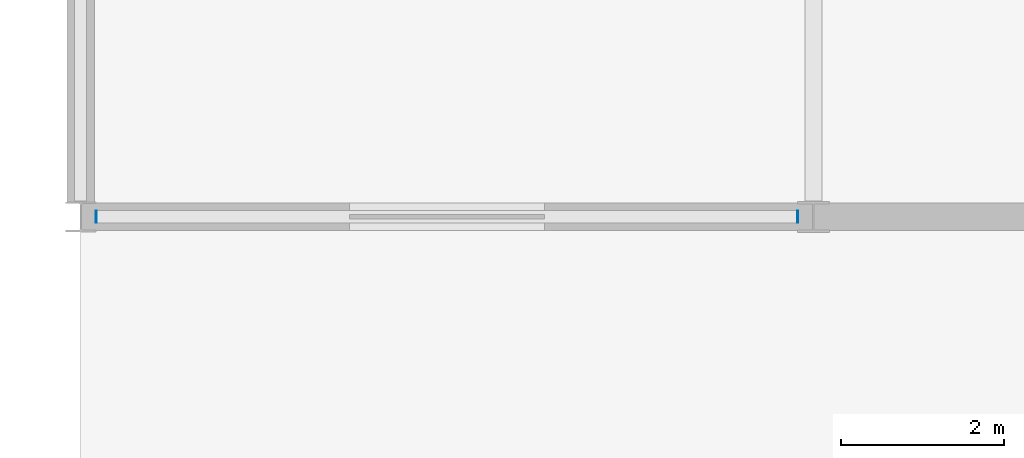
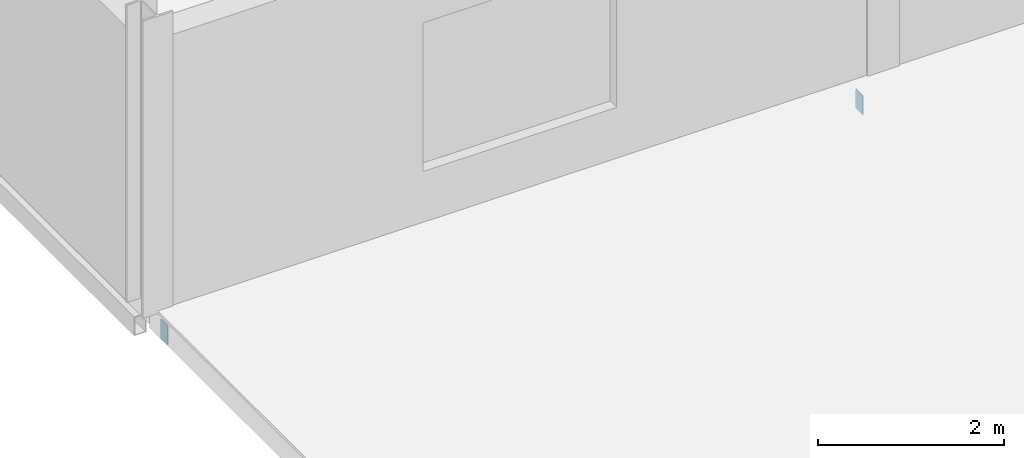
# One storey, part 73 of 105: 2 discrete accessories.
"""IFC4 building model written with IfcOpenShell, lengths in metres."""

from ifc_helpers import new_model, si_unit, direction, frame, origin, place, context, subcontext, project, spatial, polyline, outline, extrude, material, layer, layer_set, type_object, element, save


model = new_model("IFC4")

# Units and contexts
model_context = context("Model", 3, precision=1e-05, world=origin(), true_north=direction((0.0, 1.0)))
body_context = subcontext(model_context, "Body", "Model", "MODEL_VIEW")
ifc_project = project(units=[si_unit("LENGTHUNIT", "METRE"), si_unit("AREAUNIT", "SQUARE_METRE"), si_unit("VOLUMEUNIT", "CUBIC_METRE"), si_unit("PLANEANGLEUNIT", "RADIAN"), si_unit("MASSUNIT", "GRAM", prefix="KILO")], contexts=[model_context])

# Site, building, storey
site_placement = place(None, origin())
site = spatial("IfcSite", under=ifc_project, at=site_placement, CompositionType="ELEMENT")
building_placement = place(site_placement, origin())
building = spatial("IfcBuilding", under=site, at=building_placement, Name="Kisiwana Market Hall", CompositionType="ELEMENT")
storey_placement = place(building_placement, frame((0.0, 0.0, 21.60009765625)))
storey = spatial("IfcBuildingStorey", under=building, at=storey_placement, Name="L04", CompositionType="ELEMENT", Elevation=21.60009765625)

# Discrete accessories
ifc_material = material(Name="Steel S355", Category="steel")
ifc_layer = layer(ifc_material, 0.011962890625)
ifc_layer_set = layer_set([ifc_layer], Name="ACC-ENDCAP-STL")
discrete_accessory_type = type_object("IfcDiscreteAccessoryType", Name="ACC-ENDCAP-STL", PredefinedType="USERDEFINED", material=ifc_layer_set)
discrete_accessory_1_placement = place(storey_placement, frame((0.0, 0.0, -0.5419921875)))
element("IfcDiscreteAccessory", 1, at=discrete_accessory_1_placement, inside=storey, type_object=discrete_accessory_type, Name="End cap plate EC-0047", ObjectType="End cap plate", PredefinedType="USERDEFINED", context=body_context, shape_type="SweptSolid", body=[
    extrude(outline(polyline([(8.804443359375, 8.925048828125), (8.81640625, 8.925048828125), (8.81640625, 9.074951171875), (8.804443359375, 9.074951171875), (8.804443359375, 8.925048828125)])), origin(), (0.0, 0.0, 1.0), 0.25),
])
discrete_accessory_2_placement = place(storey_placement, frame((0.0, 0.0, -0.5419921875)))
element("IfcDiscreteAccessory", 2, at=discrete_accessory_2_placement, inside=storey, type_object=discrete_accessory_type, Name="End cap plate EC-0048", ObjectType="End cap plate", PredefinedType="USERDEFINED", context=body_context, shape_type="SweptSolid", body=[
    extrude(outline(polyline([(0.195556640625, 8.925048828125), (0.195556640625, 9.074951171875), (0.18359375, 9.074951171875), (0.18359375, 8.925048828125), (0.195556640625, 8.925048828125)])), origin(), (0.0, 0.0, 1.0), 0.25),
])

save(model, "model.ifc")
